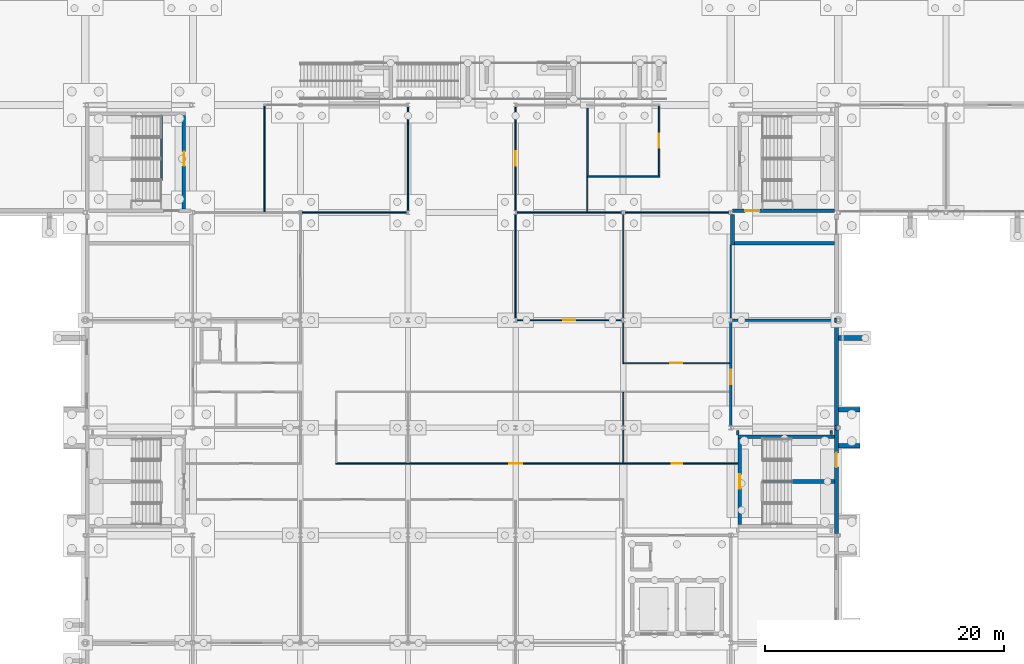
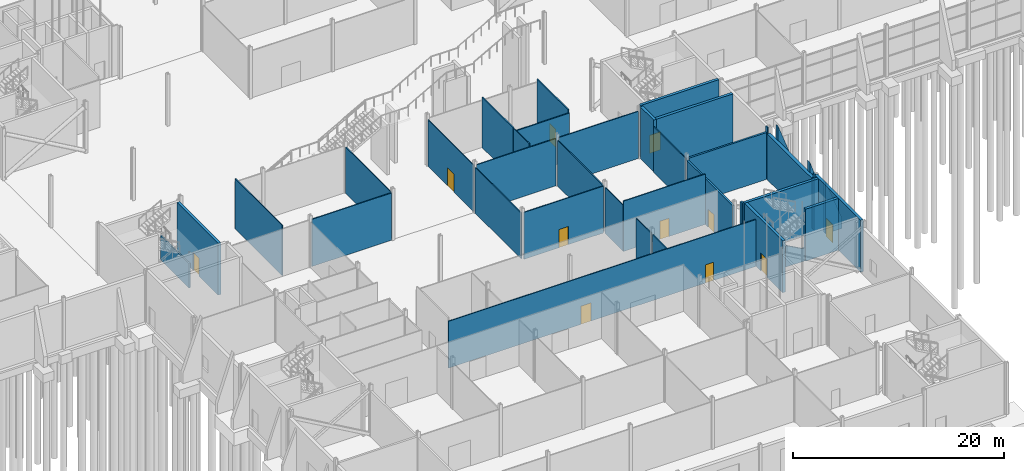
# One storey, part 103 of 139: 39 walls, 11 doors, 11 openings.
"""IFC4 building model written with IfcOpenShell, lengths in metres."""

from ifc_helpers import new_model, si_unit, direction, frame, frame_2d, origin, place, context, subcontext, project, spatial, polyline, rectangle, outline, extrude, material, layer, layer_set, type_object, element, fill, save


model = new_model("IFC4")

# Units and contexts
model_context = context("Model", 3, precision=1e-05, world=origin(), true_north=direction((0.0, 1.0)))
body_context = subcontext(model_context, "Body", "Model", "MODEL_VIEW")
ifc_project = project(units=[si_unit("LENGTHUNIT", "METRE"), si_unit("AREAUNIT", "SQUARE_METRE"), si_unit("VOLUMEUNIT", "CUBIC_METRE"), si_unit("PLANEANGLEUNIT", "RADIAN"), si_unit("MASSUNIT", "GRAM", prefix="KILO")], contexts=[model_context])

# Site, building, storey
site_placement = place(None, origin())
site = spatial("IfcSite", under=ifc_project, at=site_placement, CompositionType="ELEMENT")
building_placement = place(site_placement, origin())
building = spatial("IfcBuilding", under=site, at=building_placement, Name="Shorebreak Coast Museum", CompositionType="ELEMENT")
storey_placement = place(building_placement, origin())
storey = spatial("IfcBuildingStorey", under=building, at=storey_placement, Name="L00", CompositionType="ELEMENT", Elevation=0.0)

# Walls
ifc_material_1 = material(Name="Concrete N50 (50 MPa)", Category="concrete")
ifc_layer_1 = layer(ifc_material_1, 0.14990234375)
ifc_layer_set_1 = layer_set([ifc_layer_1], Name="Concrete N50 (50 MPa)")
wall_type_1 = type_object("IfcWallType", Name="Column closure panel 150", PredefinedType="SOLIDWALL", material=ifc_layer_set_1)
for number, where, z_axis, x_axis, name in (
    (1, (116.77490234375, 35.85009765625, 0.0), (0.0, 0.0, 1.0), (0.0, 1.0, 0.0), "Column closure panel L00 E 14E"),
    (2, (116.77490234375, 44.827880859375, 0.0), (0.0, 0.0, 1.0), (0.0, 1.0, 0.0), "Column closure panel L00 E 14F"),
):
    element("IfcWall", number, at=place(storey_placement, frame(where, z_axis=z_axis, x_axis=x_axis)), inside=storey, type_object=wall_type_1, Name=name, PredefinedType="SOLIDWALL", context=body_context, shape_type="SweptSolid", body=[
        extrude(rectangle(XDim=0.322021484375, YDim=0.14990234375, at=frame_2d((0.1611328125, 0.0))), origin(), (0.0, 0.0, 1.0), 6.0),
    ])
ifc_material_2 = material(Name="Concrete masonry", Category="masonry")
ifc_layer_2 = layer(ifc_material_2, 0.199951171875)
ifc_layer_set_2 = layer_set([ifc_layer_2], Name="Concrete masonry")
wall_type_2 = type_object("IfcWallType", Name="Fire wall 200", PredefinedType="PARTITIONING", material=ifc_layer_set_2)
wall_1_placement = place(storey_placement, frame((108.154541015625, 45.0, 0.0), z_axis=(0.0, 0.0, 1.0), x_axis=(1.0, 0.0, 0.0)))
element("IfcWall", 3, at=wall_1_placement, inside=storey, type_object=wall_type_2, Name="Partition L00-029", PredefinedType="PARTITIONING", context=body_context, shape_type="SweptSolid", body=[
    extrude(rectangle(XDim=8.495361328125, YDim=0.199951171875, at=frame_2d((4.24755859375, 0.0))), origin(), (0.0, 0.0, 1.0), 5.418701171875),
])

# Wall, opening, door
wall_2_placement = place(storey_placement, frame((108.0, 36.160400390625, 0.0), z_axis=(0.0, 0.0, 1.0), x_axis=(0.0, 1.0, 0.0)))
wall_2 = element("IfcWall", 4, at=wall_2_placement, inside=storey, type_object=wall_type_2, Name="Partition L00-151", PredefinedType="PARTITIONING", context=body_context, shape_type="SweptSolid", body=[
    extrude(rectangle(XDim=8.67919921875, YDim=0.199951171875, at=frame_2d((4.339599609375, 0.0))), origin(), (0.0, 0.0, 1.0), 5.2919921875),
])
opening_1_placement = place(wall_2_placement, frame((3.48974609375, 0.0, 0.0)))
opening_1 = element("IfcOpeningElement", 5, at=opening_1_placement, cuts=wall_2, Name="Opening D0022", PredefinedType="OPENING", context=body_context, shape_type="SweptSolid", body=[
    extrude(rectangle(XDim=1.199951171875, YDim=2.10009765625, at=frame_2d((0.60009765625, 1.050048828125))), frame((0.0, 0.10986328125, 0.0), z_axis=(0.0, -1.0, 0.0), x_axis=(1.0, 0.0, 0.0)), (0.0, 0.0, 1.0), 0.219970703125),
])
ifc_material_3 = material(Name="Steel", Category="steel")
door_type_1 = type_object("IfcDoorType", Name="Fire door 1200x2100 120", OperationType="SINGLE_SWING_LEFT", PredefinedType="DOOR", material=ifc_material_3)
door_1_placement = place(opening_1_placement, origin())
door_1 = element("IfcDoor", 6, at=door_1_placement, inside=storey, type_object=door_type_1, Name="Door D0022 Fire Control Centre", OperationType="SINGLE_SWING_LEFT", OverallHeight=2.10009765625, OverallWidth=1.199951171875, PredefinedType="DOOR", context=body_context, shape_type="SweptSolid", body=[
    extrude(rectangle(XDim=1.199951171875, YDim=2.10009765625, at=frame_2d((0.60009765625, 1.050048828125))), frame((0.0, 0.02490234375, 0.0), z_axis=(0.0, -1.0, 0.0), x_axis=(1.0, 0.0, 0.0)), (0.0, 0.0, 1.0), 0.050048828125),
])
fill(opening_1, door_1)

# Walls
wall_3_placement = place(storey_placement, frame((108.60009765625, 35.39990234375, 0.0), z_axis=(0.0, 0.0, 1.0), x_axis=(0.0, 1.0, 0.0)))
element("IfcWall", 7, at=wall_3_placement, inside=storey, type_object=wall_type_2, Name="Partition L00-157", PredefinedType="PARTITIONING", context=body_context, shape_type="SweptSolid", body=[
    extrude(rectangle(XDim=0.380126953125, YDim=0.199951171875, at=frame_2d((0.18994140625, 0.0))), origin(), (0.0, 0.0, 1.0), 5.824951171875),
])
wall_4_placement = place(storey_placement, frame((116.39990234375, 35.449951171875, 0.0), z_axis=(0.0, 0.0, 1.0), x_axis=(0.0, 1.0, 0.0)))
element("IfcWall", 8, at=wall_4_placement, inside=storey, type_object=wall_type_2, Name="Partition L00-163", PredefinedType="PARTITIONING", context=body_context, shape_type="SweptSolid", body=[
    extrude(rectangle(XDim=0.330078125, YDim=0.199951171875, at=frame_2d((0.1650390625, 0.0))), origin(), (0.0, 0.0, 1.0), 5.824951171875),
])

# Wall, openings, doors
ifc_material_4 = material(Name="Plasterboard on steel stud", Category="steel")
ifc_layer_3 = layer(ifc_material_4, 0.10009765625)
ifc_layer_set_3 = layer_set([ifc_layer_3], Name="Plasterboard on steel stud")
wall_type_3 = type_object("IfcWallType", Name="Partition 100", PredefinedType="PARTITIONING", material=ifc_layer_set_3)
wall_5_placement = place(storey_placement, frame((74.949951171875, 33.0, 0.0), z_axis=(0.0, 0.0, 1.0), x_axis=(1.0, 0.0, 0.0)))
wall_5 = element("IfcWall", 9, at=wall_5_placement, inside=storey, type_object=wall_type_3, Name="Partition L00-019", PredefinedType="PARTITIONING", context=body_context, shape_type="SweptSolid", body=[
    extrude(rectangle(XDim=33.650146484375, YDim=0.10009765625, at=frame_2d((16.8251953125, 0.0))), origin(), (0.0, 0.0, 1.0), 5.42236328125),
])
opening_2_placement = place(wall_5_placement, frame((14.5, 0.0, 0.0)))
opening_2 = element("IfcOpeningElement", 10, at=opening_2_placement, cuts=wall_5, Name="Opening D0015", PredefinedType="OPENING", context=body_context, shape_type="SweptSolid", body=[
    extrude(rectangle(XDim=1.10009765625, YDim=2.10009765625, at=frame_2d((0.550048828125, 1.050048828125))), frame((0.0, 0.06005859375, 0.0), z_axis=(0.0, -1.0, 0.0), x_axis=(1.0, 0.0, 0.0)), (0.0, 0.0, 1.0), 0.1201171875),
])
opening_3_placement = place(wall_5_placement, frame((28.10009765625, 0.0, 0.0)))
opening_3 = element("IfcOpeningElement", 11, at=opening_3_placement, cuts=wall_5, Name="Opening D0016", PredefinedType="OPENING", context=body_context, shape_type="SweptSolid", body=[
    extrude(rectangle(XDim=0.89990234375, YDim=2.10009765625, at=frame_2d((0.449951171875, 1.050048828125))), frame((0.0, 0.06005859375, 0.0), z_axis=(0.0, -1.0, 0.0), x_axis=(1.0, 0.0, 0.0)), (0.0, 0.0, 1.0), 0.1201171875),
])
ifc_material_5 = material(Name="Timber", Category="wood")
door_type_2 = type_object("IfcDoorType", Name="Interior door 1100x2100", OperationType="SINGLE_SWING_LEFT", PredefinedType="DOOR", material=ifc_material_5)
door_2_placement = place(opening_2_placement, origin())
door_2 = element("IfcDoor", 12, at=door_2_placement, inside=storey, type_object=door_type_2, Name="Door D0015 Staff Room", OperationType="SINGLE_SWING_RIGHT", OverallHeight=2.10009765625, OverallWidth=1.10009765625, PredefinedType="DOOR", context=body_context, shape_type="SweptSolid", body=[
    extrude(rectangle(XDim=1.10009765625, YDim=2.10009765625, at=frame_2d((0.550048828125, 1.050048828125))), frame((0.0, 0.02490234375, 0.0), z_axis=(0.0, -1.0, 0.0), x_axis=(1.0, 0.0, 0.0)), (0.0, 0.0, 1.0), 0.050048828125),
])
fill(opening_2, door_2)
ifc_material_6 = material(Name="Timber", Category="wood")
door_type_3 = type_object("IfcDoorType", Name="Interior door 900x2100", OperationType="SINGLE_SWING_LEFT", PredefinedType="DOOR", material=ifc_material_6)
door_3_placement = place(opening_3_placement, origin())
door_3 = element("IfcDoor", 13, at=door_3_placement, inside=storey, type_object=door_type_3, Name="Door D0016 Staff Locker Room", OperationType="SINGLE_SWING_RIGHT", OverallHeight=2.10009765625, OverallWidth=0.89990234375, PredefinedType="DOOR", context=body_context, shape_type="SweptSolid", body=[
    extrude(rectangle(XDim=0.89990234375, YDim=2.10009765625, at=frame_2d((0.449951171875, 1.050048828125))), frame((0.0, 0.02490234375, 0.0), z_axis=(0.0, -1.0, 0.0), x_axis=(1.0, 0.0, 0.0)), (0.0, 0.0, 1.0), 0.050048828125),
])
fill(opening_3, door_3)

# Wall, opening, door
wall_6_placement = place(storey_placement, frame((98.949951171875, 41.39990234375, 0.0), z_axis=(0.0, 0.0, 1.0), x_axis=(1.0, 0.0, 0.0)))
wall_6 = element("IfcWall", 14, at=wall_6_placement, inside=storey, type_object=wall_type_3, Name="Partition L00-025", PredefinedType="PARTITIONING", context=body_context, shape_type="SweptSolid", body=[
    extrude(rectangle(XDim=8.949951171875, YDim=0.10009765625, at=frame_2d((4.47509765625, 0.0))), origin(), (0.0, 0.0, 1.0), 5.824951171875),
])
opening_4_placement = place(wall_6_placement, frame((4.0, 0.0, 0.0)))
opening_4 = element("IfcOpeningElement", 15, at=opening_4_placement, cuts=wall_6, Name="Opening D0025", PredefinedType="OPENING", context=body_context, shape_type="SweptSolid", body=[
    extrude(rectangle(XDim=1.0, YDim=2.10009765625, at=frame_2d((0.5, 1.050048828125))), frame((0.0, 0.06005859375, 0.0), z_axis=(0.0, -1.0, 0.0), x_axis=(1.0, 0.0, 0.0)), (0.0, 0.0, 1.0), 0.1201171875),
])
ifc_material_7 = material(Name="Timber", Category="wood")
door_type_4 = type_object("IfcDoorType", Name="Interior door 1000x2100", OperationType="SINGLE_SWING_LEFT", PredefinedType="DOOR", material=ifc_material_7)
door_4_placement = place(opening_4_placement, origin())
door_4 = element("IfcDoor", 16, at=door_4_placement, inside=storey, type_object=door_type_4, Name="Door D0025 Services Store 0.02", OperationType="SINGLE_SWING_LEFT", OverallHeight=2.10009765625, OverallWidth=1.0, PredefinedType="DOOR", context=body_context, shape_type="SweptSolid", body=[
    extrude(rectangle(XDim=1.0, YDim=2.10009765625, at=frame_2d((0.5, 1.050048828125))), frame((0.0, 0.02490234375, 0.0), z_axis=(0.0, -1.0, 0.0), x_axis=(1.0, 0.0, 0.0)), (0.0, 0.0, 1.0), 0.050048828125),
])
fill(opening_4, door_4)

wall_7_placement = place(storey_placement, frame((90.154541015625, 45.0, 0.0), z_axis=(0.0, 0.0, 1.0), x_axis=(1.0, 0.0, 0.0)))
wall_7 = element("IfcWall", 17, at=wall_7_placement, inside=storey, type_object=wall_type_3, Name="Partition L00-028", PredefinedType="PARTITIONING", context=body_context, shape_type="SweptSolid", body=[
    extrude(rectangle(XDim=8.69091796875, YDim=0.10009765625, at=frame_2d((4.345458984375, 0.0))), origin(), (0.0, 0.0, 1.0), 5.418701171875),
])
opening_5_placement = place(wall_7_placement, frame((3.85009765625, 0.0, 0.0)))
opening_5 = element("IfcOpeningElement", 18, at=opening_5_placement, cuts=wall_7, Name="Opening D0024", PredefinedType="OPENING", context=body_context, shape_type="SweptSolid", body=[
    extrude(rectangle(XDim=1.0, YDim=2.10009765625, at=frame_2d((0.5, 1.050048828125))), frame((0.0, 0.06005859375, 0.0), z_axis=(0.0, -1.0, 0.0), x_axis=(1.0, 0.0, 0.0)), (0.0, 0.0, 1.0), 0.1201171875),
])
door_5_placement = place(opening_5_placement, origin())
door_5 = element("IfcDoor", 19, at=door_5_placement, inside=storey, type_object=door_type_4, Name="Door D0024 Security Control", OperationType="SINGLE_SWING_LEFT", OverallHeight=2.10009765625, OverallWidth=1.0, PredefinedType="DOOR", context=body_context, shape_type="SweptSolid", body=[
    extrude(rectangle(XDim=1.0, YDim=2.10009765625, at=frame_2d((0.5, 1.050048828125))), frame((0.0, 0.02490234375, 0.0), z_axis=(0.0, -1.0, 0.0), x_axis=(1.0, 0.0, 0.0)), (0.0, 0.0, 1.0), 0.050048828125),
])
fill(opening_5, door_5)

# Walls
for number, where, z_axis, x_axis, name in (
    (20, (72.154541015625, 54.0, 0.0), (0.0, 0.0, 1.0), (1.0, 0.0, 0.0), "Partition L00-031"),
    (21, (90.154541015625, 54.0, 0.0), (0.0, 0.0, 1.0), (1.0, 0.0, 0.0), "Partition L00-032"),
    (22, (99.154541015625, 54.0, 0.0), (0.0, 0.0, 1.0), (1.0, 0.0, 0.0), "Partition L00-033"),
):
    element("IfcWall", number, at=place(storey_placement, frame(where, z_axis=z_axis, x_axis=x_axis)), inside=storey, type_object=wall_type_3, Name=name, PredefinedType="PARTITIONING", context=body_context, shape_type="SweptSolid", body=[
        extrude(rectangle(XDim=8.69091796875, YDim=0.10009765625, at=frame_2d((4.345458984375, 0.0))), origin(), (0.0, 0.0, 1.0), 5.46630859375),
    ])
wall_8_placement = place(storey_placement, frame((69.0, 54.050048828125, 0.0), z_axis=(0.0, 0.0, 1.0), x_axis=(0.0, 1.0, 0.0)))
element("IfcWall", 23, at=wall_8_placement, inside=storey, type_object=wall_type_3, Name="Partition L00-112", PredefinedType="PARTITIONING", context=body_context, shape_type="SweptSolid", body=[
    extrude(rectangle(XDim=8.89990234375, YDim=0.10009765625, at=frame_2d((4.449951171875, 0.0))), origin(), (0.0, 0.0, 1.0), 5.824951171875),
])
wall_9_placement = place(storey_placement, frame((81.0, 54.160400390625, 0.0), z_axis=(0.0, 0.0, 1.0), x_axis=(0.0, 1.0, 0.0)))
element("IfcWall", 24, at=wall_9_placement, inside=storey, type_object=wall_type_3, Name="Partition L00-125", PredefinedType="PARTITIONING", context=body_context, shape_type="SweptSolid", body=[
    extrude(rectangle(XDim=8.676025390625, YDim=0.10009765625, at=frame_2d((4.337890625, 0.0))), origin(), (0.0, 0.0, 1.0), 5.364501953125),
])
wall_10_placement = place(storey_placement, frame((90.0, 45.160400390625, 0.0), z_axis=(0.0, 0.0, 1.0), x_axis=(0.0, 1.0, 0.0)))
element("IfcWall", 25, at=wall_10_placement, inside=storey, type_object=wall_type_3, Name="Partition L00-130", PredefinedType="PARTITIONING", context=body_context, shape_type="SweptSolid", body=[
    extrude(rectangle(XDim=8.67919921875, YDim=0.10009765625, at=frame_2d((4.339599609375, 0.0))), origin(), (0.0, 0.0, 1.0), 5.2919921875),
])

# Wall, opening, door
wall_11_placement = place(storey_placement, frame((90.0, 54.160400390625, 0.0), z_axis=(0.0, 0.0, 1.0), x_axis=(0.0, 1.0, 0.0)))
wall_11 = element("IfcWall", 26, at=wall_11_placement, inside=storey, type_object=wall_type_3, Name="Partition L00-131", PredefinedType="PARTITIONING", context=body_context, shape_type="SweptSolid", body=[
    extrude(rectangle(XDim=8.676025390625, YDim=0.10009765625, at=frame_2d((4.337890625, 0.0))), origin(), (0.0, 0.0, 1.0), 5.364501953125),
])
opening_6_placement = place(wall_11_placement, frame((3.75, 0.0, 0.0)))
opening_6 = element("IfcOpeningElement", 27, at=opening_6_placement, cuts=wall_11, Name="Opening D0027", PredefinedType="OPENING", context=body_context, shape_type="SweptSolid", body=[
    extrude(rectangle(XDim=1.199951171875, YDim=2.10009765625, at=frame_2d((0.60009765625, 1.050048828125))), frame((0.0, 0.06005859375, 0.0), z_axis=(0.0, -1.0, 0.0), x_axis=(1.0, 0.0, 0.0)), (0.0, 0.0, 1.0), 0.1201171875),
])
ifc_material_8 = material(Name="Timber", Category="wood")
door_type_5 = type_object("IfcDoorType", Name="Interior door 1200x2100", OperationType="SINGLE_SWING_LEFT", PredefinedType="DOOR", material=ifc_material_8)
door_6_placement = place(opening_6_placement, origin())
door_6 = element("IfcDoor", 28, at=door_6_placement, inside=storey, type_object=door_type_5, Name="Door D0027 Ticketing and Information", OperationType="SINGLE_SWING_RIGHT", OverallHeight=2.10009765625, OverallWidth=1.199951171875, PredefinedType="DOOR", context=body_context, shape_type="SweptSolid", body=[
    extrude(rectangle(XDim=1.199951171875, YDim=2.10009765625, at=frame_2d((0.60009765625, 1.050048828125))), frame((0.0, 0.02490234375, 0.0), z_axis=(0.0, -1.0, 0.0), x_axis=(1.0, 0.0, 0.0)), (0.0, 0.0, 1.0), 0.050048828125),
])
fill(opening_6, door_6)

# Walls
wall_12_placement = place(storey_placement, frame((96.0, 54.050048828125, 0.0), z_axis=(0.0, 0.0, 1.0), x_axis=(0.0, 1.0, 0.0)))
element("IfcWall", 29, at=wall_12_placement, inside=storey, type_object=wall_type_3, Name="Partition L00-133", PredefinedType="PARTITIONING", context=body_context, shape_type="SweptSolid", body=[
    extrude(rectangle(XDim=2.887451171875, YDim=0.10009765625, at=frame_2d((1.44384765625, 0.0))), origin(), (0.0, 0.0, 1.0), 5.824951171875),
])
for number, where, z_axis, x_axis, name in (
    (30, (99.0, 33.050048828125, 0.0), (0.0, 0.0, 1.0), (0.0, 1.0, 0.0), "Partition L00-140"),
    (31, (99.0, 36.160400390625, 0.0), (0.0, 0.0, 1.0), (0.0, 1.0, 0.0), "Partition L00-141"),
):
    element("IfcWall", number, at=place(storey_placement, frame(where, z_axis=z_axis, x_axis=x_axis)), inside=storey, type_object=wall_type_3, Name=name, PredefinedType="PARTITIONING", context=body_context, shape_type="SweptSolid", body=[
        extrude(rectangle(XDim=2.78955078125, YDim=0.10009765625, at=frame_2d((1.394775390625, 0.0))), origin(), (0.0, 0.0, 1.0), 5.2919921875),
    ])
wall_13_placement = place(storey_placement, frame((99.0, 41.449951171875, 0.0), z_axis=(0.0, 0.0, 1.0), x_axis=(0.0, 1.0, 0.0)))
element("IfcWall", 32, at=wall_13_placement, inside=storey, type_object=wall_type_3, Name="Partition L00-142", PredefinedType="PARTITIONING", context=body_context, shape_type="SweptSolid", body=[
    extrude(rectangle(XDim=3.3896484375, YDim=0.10009765625, at=frame_2d((1.69482421875, 0.0))), origin(), (0.0, 0.0, 1.0), 5.2919921875),
])
wall_14_placement = place(storey_placement, frame((99.0, 45.160400390625, 0.0), z_axis=(0.0, 0.0, 1.0), x_axis=(0.0, 1.0, 0.0)))
element("IfcWall", 33, at=wall_14_placement, inside=storey, type_object=wall_type_3, Name="Partition L00-143", PredefinedType="PARTITIONING", context=body_context, shape_type="SweptSolid", body=[
    extrude(rectangle(XDim=8.67919921875, YDim=0.10009765625, at=frame_2d((4.339599609375, 0.0))), origin(), (0.0, 0.0, 1.0), 5.2919921875),
])
wall_15_placement = place(storey_placement, frame((108.0, 45.160400390625, 0.0), z_axis=(0.0, 0.0, 1.0), x_axis=(0.0, 1.0, 0.0)))
element("IfcWall", 34, at=wall_15_placement, inside=storey, type_object=wall_type_3, Name="Partition L00-152", PredefinedType="PARTITIONING", context=body_context, shape_type="SweptSolid", body=[
    extrude(rectangle(XDim=6.089599609375, YDim=0.10009765625, at=frame_2d((3.044921875, 0.0))), origin(), (0.0, 0.0, 1.0), 5.2919921875),
])
ifc_material_9 = material(Name="Plasterboard on steel stud", Category="steel")
ifc_layer_4 = layer(ifc_material_9, 0.125)
ifc_layer_set_4 = layer_set([ifc_layer_4], Name="Plasterboard on steel stud")
wall_type_4 = type_object("IfcWallType", Name="Partition 125", PredefinedType="PARTITIONING", material=ifc_layer_set_4)
wall_16_placement = place(storey_placement, frame((95.9375, 57.0, 0.0), z_axis=(0.0, 0.0, 1.0), x_axis=(1.0, 0.0, 0.0)))
element("IfcWall", 35, at=wall_16_placement, inside=storey, type_object=wall_type_4, Name="Partition L00-036", PredefinedType="PARTITIONING", context=body_context, shape_type="SweptSolid", body=[
    extrude(rectangle(XDim=6.125, YDim=0.125, at=frame_2d((3.0625, 0.0))), origin(), (0.0, 0.0, 1.0), 5.472900390625),
])
wall_17_placement = place(storey_placement, frame((96.0, 57.0625, 0.0), z_axis=(0.0, 0.0, 1.0), x_axis=(0.0, 1.0, 0.0)))
element("IfcWall", 36, at=wall_17_placement, inside=storey, type_object=wall_type_4, Name="Partition L00-134", PredefinedType="PARTITIONING", context=body_context, shape_type="SweptSolid", body=[
    extrude(rectangle(XDim=5.875, YDim=0.125, at=frame_2d((2.9375, 0.0))), origin(), (0.0, 0.0, 1.0), 5.824951171875),
])

# Wall, opening, door
wall_18_placement = place(storey_placement, frame((102.0, 57.0625, 0.0), z_axis=(0.0, 0.0, 1.0), x_axis=(0.0, 1.0, 0.0)))
wall_18 = element("IfcWall", 37, at=wall_18_placement, inside=storey, type_object=wall_type_4, Name="Partition L00-146", PredefinedType="PARTITIONING", context=body_context, shape_type="SweptSolid", body=[
    extrude(rectangle(XDim=5.875, YDim=0.125, at=frame_2d((2.9375, 0.0))), origin(), (0.0, 0.0, 1.0), 5.824951171875),
])
opening_7_placement = place(wall_18_placement, frame((2.35009765625, 0.0, 0.0)))
opening_7 = element("IfcOpeningElement", 38, at=opening_7_placement, cuts=wall_18, Name="Opening D0028", PredefinedType="OPENING", context=body_context, shape_type="SweptSolid", body=[
    extrude(rectangle(XDim=1.199951171875, YDim=2.10009765625, at=frame_2d((0.60009765625, 1.050048828125))), frame((0.0, 0.072509765625, 0.0), z_axis=(0.0, -1.0, 0.0), x_axis=(1.0, 0.0, 0.0)), (0.0, 0.0, 1.0), 0.14501953125),
])
door_7_placement = place(opening_7_placement, origin())
door_7 = element("IfcDoor", 39, at=door_7_placement, inside=storey, type_object=door_type_5, Name="Door D0028 Adult Change Facility", OperationType="SINGLE_SWING_RIGHT", OverallHeight=2.10009765625, OverallWidth=1.199951171875, PredefinedType="DOOR", context=body_context, shape_type="SweptSolid", body=[
    extrude(rectangle(XDim=1.199951171875, YDim=2.10009765625, at=frame_2d((0.60009765625, 1.050048828125))), frame((0.0, 0.02490234375, 0.0), z_axis=(0.0, -1.0, 0.0), x_axis=(1.0, 0.0, 0.0)), (0.0, 0.0, 1.0), 0.050048828125),
])
fill(opening_7, door_7)

# Wall
ifc_material_10 = material(Name="Concrete N50 (50 MPa)", Category="concrete")
ifc_layer_5 = layer(ifc_material_10, 0.35009765625)
ifc_layer_set_5 = layer_set([ifc_layer_5], Name="Concrete N50 (50 MPa)")
wall_type_5 = type_object("IfcWallType", Name="Precast plinth panel 350", PredefinedType="SOLIDWALL", material=ifc_layer_set_5)
wall_19_placement = place(storey_placement, frame((116.85009765625, 36.172119140625, 0.0), z_axis=(0.0, 0.0, 1.0), x_axis=(0.0, 1.0, 0.0)))
element("IfcWall", 40, at=wall_19_placement, inside=storey, type_object=wall_type_5, Name="External wall L00 E 14E", PredefinedType="SOLIDWALL", context=body_context, shape_type="SweptSolid", body=[
    extrude(rectangle(XDim=8.65576171875, YDim=0.35009765625, at=frame_2d((4.327880859375, 0.0))), origin(), (0.0, 0.0, 1.0), 5.2919921875),
])

# Wall, opening, door
ifc_material_11 = material(Name="Concrete N50 (50 MPa)", Category="concrete")
ifc_layer_6 = layer(ifc_material_11, 0.300048828125)
ifc_layer_set_6 = layer_set([ifc_layer_6], Name="Concrete N50 (50 MPa)")
wall_type_6 = type_object("IfcWallType", Name="RC wall 300", PredefinedType="SHEAR", material=ifc_layer_set_6)
wall_20_placement = place(storey_placement, frame((62.25, 54.300048828125, 0.0), z_axis=(0.0, 0.0, 1.0), x_axis=(0.0, 1.0, 0.0)))
wall_20 = element("IfcWall", 41, at=wall_20_placement, inside=storey, type_object=wall_type_6, Name="Stair core wall ST01 L00 E", PredefinedType="SHEAR", context=body_context, shape_type="SweptSolid", body=[
    extrude(rectangle(XDim=7.800048828125, YDim=0.300048828125, at=frame_2d((3.89990234375, 0.0))), origin(), (0.0, 0.0, 1.0), 6.0),
])
opening_8_placement = place(wall_20_placement, frame((3.60009765625, 0.0, 0.0)))
opening_8 = element("IfcOpeningElement", 42, at=opening_8_placement, cuts=wall_20, Name="Opening D0801", PredefinedType="OPENING", context=body_context, shape_type="SweptSolid", body=[
    extrude(rectangle(XDim=1.199951171875, YDim=2.10009765625, at=frame_2d((0.60009765625, 1.050048828125))), frame((0.0, 0.159912109375, 0.0), z_axis=(0.0, -1.0, 0.0), x_axis=(1.0, 0.0, 0.0)), (0.0, 0.0, 1.0), 0.320068359375),
])
ifc_material_12 = material(Name="Steel Grade 300", Category="steel")
door_type_6 = type_object("IfcDoorType", Name="Fire door 1200x2100", OperationType="SINGLE_SWING_LEFT", PredefinedType="DOOR", material=ifc_material_12)
door_8_placement = place(opening_8_placement, origin())
door_8 = element("IfcDoor", 43, at=door_8_placement, inside=storey, type_object=door_type_6, Name="Stair door ST01 L00", OperationType="SINGLE_SWING_LEFT", OverallHeight=2.10009765625, OverallWidth=1.199951171875, PredefinedType="DOOR", context=body_context, shape_type="SweptSolid", body=[
    extrude(rectangle(XDim=1.199951171875, YDim=2.10009765625, at=frame_2d((0.60009765625, 1.050048828125))), frame((0.0, 0.02490234375, 0.0), z_axis=(0.0, -1.0, 0.0), x_axis=(1.0, 0.0, 0.0)), (0.0, 0.0, 1.0), 0.050048828125),
])
fill(opening_8, door_8)

wall_21_placement = place(storey_placement, frame((108.154541015625, 54.14990234375, 0.0), z_axis=(0.0, 0.0, 1.0), x_axis=(1.0, 0.0, 0.0)))
wall_21 = element("IfcWall", 44, at=wall_21_placement, inside=storey, type_object=wall_type_6, Name="Stair core wall ST02 L00 S", PredefinedType="SHEAR", context=body_context, shape_type="SweptSolid", body=[
    extrude(rectangle(XDim=8.54541015625, YDim=0.300048828125, at=frame_2d((4.272705078125, 0.0))), origin(), (0.0, 0.0, 1.0), 6.0),
])
opening_9_placement = place(wall_21_placement, frame((1.04541015625, 0.0, 0.0)))
opening_9 = element("IfcOpeningElement", 45, at=opening_9_placement, cuts=wall_21, Name="Opening D0552", PredefinedType="OPENING", context=body_context, shape_type="SweptSolid", body=[
    extrude(rectangle(XDim=1.199951171875, YDim=2.10009765625, at=frame_2d((0.60009765625, 1.050048828125))), frame((0.0, 0.159912109375, 0.0), z_axis=(0.0, -1.0, 0.0), x_axis=(1.0, 0.0, 0.0)), (0.0, 0.0, 1.0), 0.320068359375),
])
door_9_placement = place(opening_9_placement, origin())
door_9 = element("IfcDoor", 46, at=door_9_placement, inside=storey, type_object=door_type_6, Name="Passage door ST02", OperationType="SINGLE_SWING_LEFT", OverallHeight=2.10009765625, OverallWidth=1.199951171875, PredefinedType="DOOR", context=body_context, shape_type="SweptSolid", body=[
    extrude(rectangle(XDim=1.199951171875, YDim=2.10009765625, at=frame_2d((0.60009765625, 1.050048828125))), frame((0.0, 0.02490234375, 0.0), z_axis=(0.0, -1.0, 0.0), x_axis=(1.0, 0.0, 0.0)), (0.0, 0.0, 1.0), 0.050048828125),
])
fill(opening_9, door_9)

# Wall
wall_22_placement = place(storey_placement, frame((108.60009765625, 35.25, 0.0), z_axis=(0.0, 0.0, 1.0), x_axis=(1.0, 0.0, 0.0)))
element("IfcWall", 47, at=wall_22_placement, inside=storey, type_object=wall_type_6, Name="Stair core wall ST14 L00 N", PredefinedType="SHEAR", context=body_context, shape_type="SweptSolid", body=[
    extrude(rectangle(XDim=8.099853515625, YDim=0.300048828125, at=frame_2d((4.0498046875, 0.0))), origin(), (0.0, 0.0, 1.0), 6.0),
])

# Wall, opening, door
wall_23_placement = place(storey_placement, frame((108.75, 27.89990234375, 0.0), z_axis=(0.0, 0.0, 1.0), x_axis=(0.0, 1.0, 0.0)))
wall_23 = element("IfcWall", 48, at=wall_23_placement, inside=storey, type_object=wall_type_6, Name="Stair core wall ST14 L00 W", PredefinedType="SHEAR", context=body_context, shape_type="SweptSolid", body=[
    extrude(rectangle(XDim=7.2001953125, YDim=0.300048828125, at=frame_2d((3.60009765625, 0.0))), origin(), (0.0, 0.0, 1.0), 6.0),
])
opening_10_placement = place(wall_23_placement, frame((3.0, 0.0, 0.0)))
opening_10 = element("IfcOpeningElement", 49, at=opening_10_placement, cuts=wall_23, Name="Opening D0814", PredefinedType="OPENING", context=body_context, shape_type="SweptSolid", body=[
    extrude(rectangle(XDim=1.199951171875, YDim=2.10009765625, at=frame_2d((0.60009765625, 1.050048828125))), frame((0.0, 0.159912109375, 0.0), z_axis=(0.0, -1.0, 0.0), x_axis=(1.0, 0.0, 0.0)), (0.0, 0.0, 1.0), 0.320068359375),
])
door_10_placement = place(opening_10_placement, origin())
door_10 = element("IfcDoor", 50, at=door_10_placement, inside=storey, type_object=door_type_6, Name="Stair door ST14 L00", OperationType="SINGLE_SWING_LEFT", OverallHeight=2.10009765625, OverallWidth=1.199951171875, PredefinedType="DOOR", context=body_context, shape_type="SweptSolid", body=[
    extrude(rectangle(XDim=1.199951171875, YDim=2.10009765625, at=frame_2d((0.60009765625, 1.050048828125))), frame((0.0, 0.02490234375, 0.0), z_axis=(0.0, -1.0, 0.0), x_axis=(1.0, 0.0, 0.0)), (0.0, 0.0, 1.0), 0.050048828125),
])
fill(opening_10, door_10)

wall_24_placement = place(storey_placement, frame((116.85009765625, 27.14990234375, 0.0), z_axis=(0.0, 0.0, 1.0), x_axis=(0.0, 1.0, 0.0)))
wall_24 = element("IfcWall", 51, at=wall_24_placement, inside=storey, type_object=wall_type_6, Name="Stair core wall ST14 L00 E", PredefinedType="SHEAR", context=body_context, shape_type="SweptSolid", body=[
    extrude(rectangle(XDim=8.7001953125, YDim=0.300048828125, at=frame_2d((4.35009765625, 0.0))), origin(), (0.0, 0.0, 1.0), 6.0),
])
opening_11_placement = place(wall_24_placement, frame((5.550048828125, 0.0, 0.0)))
opening_11 = element("IfcOpeningElement", 52, at=opening_11_placement, cuts=wall_24, Name="Opening D0714", PredefinedType="OPENING", context=body_context, shape_type="SweptSolid", body=[
    extrude(rectangle(XDim=1.199951171875, YDim=2.10009765625, at=frame_2d((0.60009765625, 1.050048828125))), frame((0.0, 0.159912109375, 0.0), z_axis=(0.0, -1.0, 0.0), x_axis=(1.0, 0.0, 0.0)), (0.0, 0.0, 1.0), 0.320068359375),
])
ifc_material_13 = material(Name="Steel Grade 300", Category="steel")
door_type_7 = type_object("IfcDoorType", Name="Exit door 1200x2100", OperationType="SINGLE_SWING_LEFT", PredefinedType="DOOR", material=ifc_material_13)
door_11_placement = place(opening_11_placement, frame((1.199951171875, 0.0, 0.0), z_axis=(0.0, 0.0, 1.0), x_axis=(-1.0, 0.0, 0.0)))
door_11 = element("IfcDoor", 53, at=door_11_placement, inside=storey, type_object=door_type_7, Name="Exit door ST14", OperationType="SINGLE_SWING_RIGHT", OverallHeight=2.10009765625, OverallWidth=1.199951171875, PredefinedType="DOOR", context=body_context, shape_type="SweptSolid", body=[
    extrude(rectangle(XDim=1.199951171875, YDim=2.10009765625, at=frame_2d((0.60009765625, 1.050048828125))), frame((0.0, 0.02490234375, 0.0), z_axis=(0.0, -1.0, 0.0), x_axis=(1.0, 0.0, 0.0)), (0.0, 0.0, 1.0), 0.050048828125),
])
fill(opening_11, door_11)

# Walls
wall_25_placement = place(storey_placement, frame((108.300048828125, 51.449951171875, 0.0), z_axis=(0.0, 0.0, 1.0), x_axis=(1.0, 0.0, 0.0)))
element("IfcWall", 54, at=wall_25_placement, inside=storey, type_object=wall_type_6, Name="Exit passage wall PX2 far", PredefinedType="SHEAR", context=body_context, shape_type="SweptSolid", body=[
    extrude(rectangle(XDim=8.39990234375, YDim=0.300048828125, at=frame_2d((4.199951171875, 0.0))), origin(), (0.0, 0.0, 1.0), 6.0),
])
wall_26_placement = place(storey_placement, frame((108.14990234375, 51.300048828125, 0.0), z_axis=(0.0, 0.0, 1.0), x_axis=(0.0, 1.0, 0.0)))
element("IfcWall", 55, at=wall_26_placement, inside=storey, type_object=wall_type_6, Name="Exit passage wall PX2 side", PredefinedType="SHEAR", context=body_context, shape_type="SweptSolid", body=[
    extrude(rectangle(XDim=2.53955078125, YDim=0.300048828125, at=frame_2d((1.269775390625, 0.0))), origin(), (0.0, 0.0, 1.0), 6.0),
])
wall_27_placement = place(storey_placement, frame((113.10009765625, 31.5, 0.0), z_axis=(0.0, 0.0, 1.0), x_axis=(1.0, 0.0, 0.0)))
element("IfcWall", 56, at=wall_27_placement, inside=storey, type_object=wall_type_6, Name="Stair spine wall ST14 L00", PredefinedType="SHEAR", context=body_context, shape_type="SweptSolid", body=[
    extrude(rectangle(XDim=3.599853515625, YDim=0.300048828125, at=frame_2d((1.7998046875, 0.0))), origin(), (0.0, 0.0, 1.0), 6.0),
])
ifc_material_14 = material(Name="Concrete N50 (50 MPa)", Category="concrete")
ifc_layer_7 = layer(ifc_material_14, 0.39990234375)
ifc_layer_set_7 = layer_set([ifc_layer_7], Name="Concrete N50 (50 MPa)")
wall_type_7 = type_object("IfcWallType", Name="Raked fin 400", PredefinedType="SOLIDWALL", material=ifc_layer_set_7)
wall_28_placement = place(storey_placement, frame((117.0, 34.5, 0.0), z_axis=(0.0, 0.0, 1.0), x_axis=(1.0, 0.0, 0.0)))
element("IfcWall", 57, at=wall_28_placement, inside=storey, type_object=wall_type_7, Name="Raked fin SE44", PredefinedType="SOLIDWALL", context=body_context, shape_type="SweptSolid", body=[
    extrude(outline(polyline([(0.0, 0.0), (1.800048828125, 0.0), (1.800048828125, 1.199951171875), (0.0, 6.0), (0.0, 0.0)])), frame((0.0, 0.199951171875, 0.0), z_axis=(0.0, -1.0, 0.0), x_axis=(1.0, 0.0, 0.0)), (0.0, 0.0, 1.0), 0.39990234375),
])
wall_29_placement = place(storey_placement, frame((117.0, 37.5, 0.0), z_axis=(0.0, 0.0, 1.0), x_axis=(1.0, 0.0, 0.0)))
element("IfcWall", 58, at=wall_29_placement, inside=storey, type_object=wall_type_7, Name="Raked fin SE45", PredefinedType="SOLIDWALL", context=body_context, shape_type="SweptSolid", body=[
    extrude(outline(polyline([(0.0, 0.0), (1.800048828125, 0.0), (1.800048828125, 1.199951171875), (0.0, 6.5), (0.0, 0.0)])), frame((0.0, 0.199951171875, 0.0), z_axis=(0.0, -1.0, 0.0), x_axis=(1.0, 0.0, 0.0)), (0.0, 0.0, 1.0), 0.39990234375),
])
wall_30_placement = place(storey_placement, frame((117.0, 43.5, 0.0), z_axis=(0.0, 0.0, 1.0), x_axis=(1.0, 0.0, 0.0)))
element("IfcWall", 59, at=wall_30_placement, inside=storey, type_object=wall_type_7, Name="Raked fin SE46", PredefinedType="SOLIDWALL", context=body_context, shape_type="SweptSolid", body=[
    extrude(outline(polyline([(0.0, 0.0), (2.10009765625, 0.0), (2.10009765625, 1.199951171875), (0.0, 7.0), (0.0, 0.0)])), frame((0.0, 0.199951171875, 0.0), z_axis=(0.0, -1.0, 0.0), x_axis=(1.0, 0.0, 0.0)), (0.0, 0.0, 1.0), 0.39990234375),
])
ifc_material_15 = material(Name="Concrete N50 (50 MPa)", Category="concrete")
ifc_layer_8 = layer(ifc_material_15, 0.14990234375)
ifc_layer_set_8 = layer_set([ifc_layer_8], Name="Concrete N50 (50 MPa)")
wall_type_8 = type_object("IfcWallType", Name="Understair wall 150", PredefinedType="STANDARD", material=ifc_layer_set_8)
wall_31_placement = place(storey_placement, frame((60.375, 56.699951171875, 0.0), z_axis=(0.0, 0.0, 1.0), x_axis=(0.0, 1.0, 0.0)))
element("IfcWall", 60, at=wall_31_placement, inside=storey, type_object=wall_type_8, Name="Understair wall ST01 L00 floor", PredefinedType="STANDARD", context=body_context, shape_type="SweptSolid", body=[
    extrude(rectangle(XDim=5.400146484375, YDim=0.14990234375, at=frame_2d((2.7001953125, 0.0))), origin(), (0.0, 0.0, 1.0), 2.800048828125),
])
wall_32_placement = place(storey_placement, frame((110.699951171875, 31.5, 0.0), z_axis=(0.0, 0.0, 1.0), x_axis=(1.0, 0.0, 0.0)))
element("IfcWall", 61, at=wall_32_placement, inside=storey, type_object=wall_type_8, Name="Stair route wall ST14 L00", PredefinedType="STANDARD", context=body_context, shape_type="SweptSolid", body=[
    extrude(outline(polyline([(0.0, 0.0), (2.400146484375, 0.0), (2.39990234375, 1.5), (2.091064453125, 1.5), (0.0, 2.66162109375), (0.0, 0.0)])), frame((0.0, 0.074951171875, 0.0), z_axis=(0.0, -1.0, 0.0), x_axis=(1.0, 0.0, 0.0)), (0.0, 0.0, 1.0), 0.14990234375),
])

save(model, "model.ifc")
